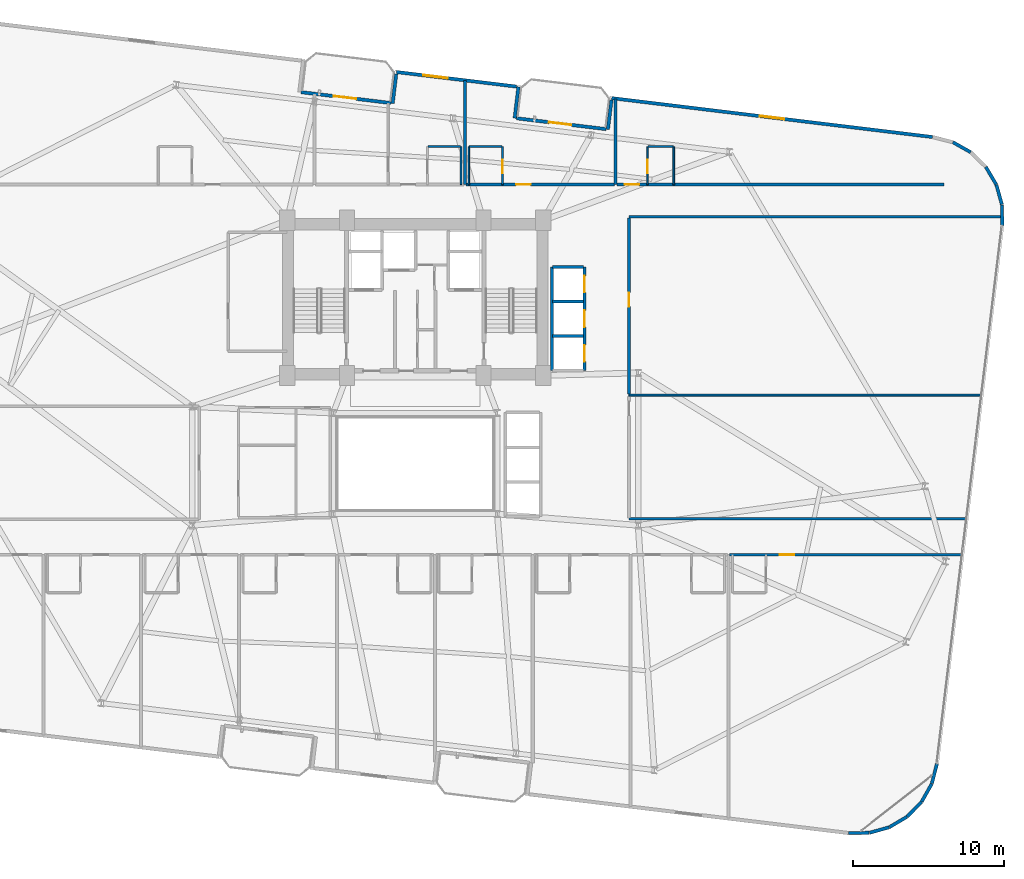
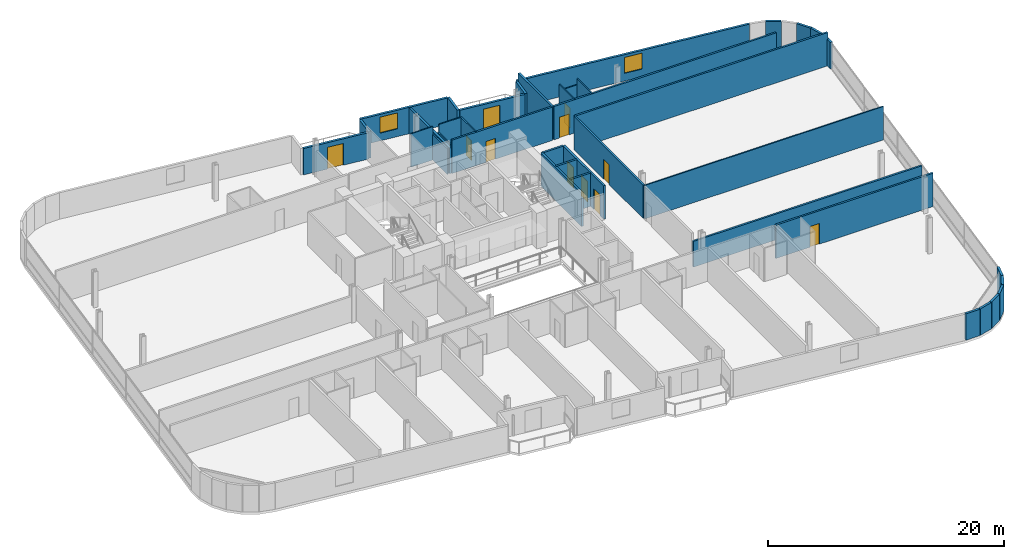
# One storey, part 23 of 26: 39 walls, 11 doors, 2 windows, 13 openings.
"""IFC4 building model written with IfcOpenShell, lengths in metres."""

import ifcopenshell
import ifcopenshell.guid

model = None  # the IFC model being written
_history = None  # IfcOwnerHistory: only IFC2X3 demands one
_inside = {}  # id of a spatial element -> (the spatial element, [elements in it])
_under = {}  # id of a project, library or spatial element -> (it, [spatial elements below it])
_declared = {}  # id of a project -> (the project, [libraries it declares])
_typed = {}  # id of a type object -> (the type object, [elements of that type])
_made_of = {}  # id of a material, layer set ... -> (it, [elements and type objects made of it])


def new_model(schema):
    """Start an empty IFC model of exactly this schema.

    Asked for "IFC4X3", IfcOpenShell would pick the latest addendum, in which some entities
    have other attributes; the version numbers below select the first issue.
    IFC2X3 requires an IfcOwnerHistory on every rooted entity: one is made here for all.
    """
    global model, _history
    if schema == "IFC4X3":
        model = ifcopenshell.file(schema_version=(4, 3, 0, 0))
    else:
        model = ifcopenshell.file(schema=schema)
    _inside.clear()
    _under.clear()
    _declared.clear()
    _typed.clear()
    _made_of.clear()
    _history = None
    if model.schema == "IFC2X3":
        org = make("IfcOrganization", Name="unknown")
        user = make(
            "IfcPersonAndOrganization",
            ThePerson=make("IfcPerson", FamilyName="unknown"),
            TheOrganization=org,
        )
        app = make(
            "IfcApplication",
            ApplicationDeveloper=org,
            Version="unknown",
            ApplicationFullName="unknown",
            ApplicationIdentifier="unknown",
        )
        _history = make(
            "IfcOwnerHistory",
            OwningUser=user,
            OwningApplication=app,
            ChangeAction="ADDED",
            CreationDate=0,
        )
    return model


def make(cls, **values):
    """One entity of the class cls with the attributes given. An attribute that is None is left unset."""
    return model.create_entity(
        cls, **{name: value for name, value in values.items() if value is not None}
    )


def rooted(cls, **values):
    """An entity with a GlobalId (a new one), such as an element, a storey or a relation."""
    return make(cls, GlobalId=ifcopenshell.guid.new(), OwnerHistory=_history, **values)


def si_unit(unit_type, name, prefix=None):
    """IfcSIUnit, for example si_unit("LENGTHUNIT", "METRE", prefix="MILLI")."""
    return make("IfcSIUnit", UnitType=unit_type, Prefix=prefix, Name=name)


def assignment(units):
    """IfcUnitAssignment: the units of a project."""
    return None if units is None else make("IfcUnitAssignment", Units=units)


def point(xyz):
    """IfcCartesianPoint."""
    return None if xyz is None else make("IfcCartesianPoint", Coordinates=xyz)


def direction(xyz):
    """IfcDirection."""
    return None if xyz is None else make("IfcDirection", DirectionRatios=xyz)


def frame(location, z_axis=None, x_axis=None):
    """IfcAxis2Placement3D, a coordinate frame: its origin and axes. An axis left out is left unset."""
    return make(
        "IfcAxis2Placement3D",
        Location=point(location),
        Axis=direction(z_axis),
        RefDirection=direction(x_axis),
    )


def frame_2d(location, x_axis=None):
    """IfcAxis2Placement2D, a coordinate frame in the plane: its origin and x axis."""
    return make(
        "IfcAxis2Placement2D", Location=point(location), RefDirection=direction(x_axis)
    )


def origin():
    """The frame at (0, 0, 0) with its axes left unset."""
    return frame((0.0, 0.0, 0.0))


def place(relative_to, where):
    """IfcLocalPlacement: puts the frame where relative to a parent placement (None: the world)."""
    return make(
        "IfcLocalPlacement", PlacementRelTo=relative_to, RelativePlacement=where
    )


def context(
    kind, dimensions, precision=None, world=None, true_north=None, identifier=None
):
    """IfcGeometricRepresentationContext, for example the 3D "Model" context."""
    return make(
        "IfcGeometricRepresentationContext",
        ContextIdentifier=identifier,
        ContextType=kind,
        CoordinateSpaceDimension=dimensions,
        Precision=precision,
        WorldCoordinateSystem=world,
        TrueNorth=true_north,
    )


def subcontext(parent, identifier, kind, view, scale=None):
    """IfcGeometricRepresentationSubContext, for example "Body" below "Model"."""
    return make(
        "IfcGeometricRepresentationSubContext",
        ContextIdentifier=identifier,
        ContextType=kind,
        ParentContext=parent,
        TargetScale=scale,
        TargetView=view,
    )


def project(units=None, contexts=None):
    """IfcProject with its units and contexts."""
    return rooted(
        "IfcProject",
        Name="project",
        RepresentationContexts=contexts,
        UnitsInContext=assignment(units),
    )


def spatial(cls, under=None, at=None, **own):
    """A site, building, storey or space (cls), placed at a placement, below another one or the project."""
    s = rooted(cls, ObjectPlacement=at, **own)
    if under is not None:
        _under.setdefault(under.id(), (under, []))[1].append(s)
    return s


def profile(cls, at=None, kind="AREA", **sizes):
    """A parametric profile (cls). Its sizes go by their IFC names, for example OverallWidth=200.0."""
    return make(cls, ProfileType=kind, Position=at, **sizes)


def rectangle(**sizes):
    """IfcRectangleProfileDef."""
    return profile("IfcRectangleProfileDef", **sizes)


def extrude(swept, where, along, depth):
    """IfcExtrudedAreaSolid: the profile swept, set in the frame where, extruded along a direction by depth."""
    return make(
        "IfcExtrudedAreaSolid",
        SweptArea=swept,
        Position=where,
        ExtrudedDirection=direction(along),
        Depth=depth,
    )


def shape(context_of_items, identifier, shape_type, items):
    """IfcShapeRepresentation: the items that make up one representation, for example the "Body"."""
    return make(
        "IfcShapeRepresentation",
        ContextOfItems=context_of_items,
        RepresentationIdentifier=identifier,
        RepresentationType=shape_type,
        Items=items,
    )


def material(Name=None, Category=None):
    """IfcMaterial."""
    return make("IfcMaterial", Name=Name, Category=Category)


def layer(
    of_material, thickness, ventilated=None, Name=None, Category=None, Priority=None
):
    """IfcMaterialLayer: one layer of a wall or slab, of a material (None: an air gap)."""
    return make(
        "IfcMaterialLayer",
        Material=of_material,
        LayerThickness=thickness,
        IsVentilated=ventilated,
        Name=Name,
        Category=Category,
        Priority=Priority,
    )


def layer_set(layers, Name=None):
    """IfcMaterialLayerSet."""
    return make("IfcMaterialLayerSet", MaterialLayers=layers, LayerSetName=Name)


def made_of(thing, what):
    """Note that an element or type object is made of a material, layer set ...; save() writes the relation."""
    if what is not None:
        _made_of.setdefault(what.id(), (what, []))[1].append(thing)
    return thing


def type_object(cls, material=None, **own):
    """A type object (cls), such as IfcWallType, which elements share."""
    return made_of(rooted(cls, **own), material)


def element(
    cls,
    number,
    at=None,
    inside=None,
    cuts=None,
    type_object=None,
    material=None,
    context=None,
    identifier="Body",
    shape_type=None,
    held_by="IfcProductDefinitionShape",
    body=None,
    shapes=None,
    **own,
):
    """One element of the class cls, such as IfcWall. Its Tag is "e" and its number.

    at: its placement. inside: the storey or other place that contains it. cuts: it is an
    opening in that element (IfcRelVoidsElement). A single representation is given by context,
    identifier, shape_type and body (its items); several are given by shapes. held_by: the class
    of the entity that holds the representations. save() writes the other relations.
    """
    e = rooted(cls, Tag="e%d" % number, ObjectPlacement=at, **own)
    if body is not None:
        shapes = [shape(context, identifier, shape_type, body)]
    if shapes is not None:
        e.Representation = make(held_by, Representations=shapes)
    if inside is not None:
        _inside.setdefault(inside.id(), (inside, []))[1].append(e)
    if cuts is not None:
        rooted(
            "IfcRelVoidsElement", RelatingBuildingElement=cuts, RelatedOpeningElement=e
        )
    if type_object is not None:
        _typed.setdefault(type_object.id(), (type_object, []))[1].append(e)
    return made_of(e, material)


def fill(opening, filler):
    """IfcRelFillsElement: the door or window that sits in an opening."""
    return rooted(
        "IfcRelFillsElement",
        RelatingOpeningElement=opening,
        RelatedBuildingElement=filler,
    )


def aggregate(whole, parts):
    """IfcRelAggregates: a whole, such as a stair, and the parts it consists of."""
    return rooted("IfcRelAggregates", RelatingObject=whole, RelatedObjects=parts)


def save(model, path):
    """Write the relations noted so far, then the file.

    IfcRelAggregates (storeys below a building ...), IfcRelContainedInSpatialStructure (elements
    in a storey), IfcRelDefinesByType, IfcRelAssociatesMaterial and IfcRelDeclares: one each for
    every whole, place, type object, material and project.
    """
    for whole, parts in _under.values():
        aggregate(whole, parts)
    for where, things in _inside.values():
        rooted(
            "IfcRelContainedInSpatialStructure",
            RelatedElements=things,
            RelatingStructure=where,
        )
    for kind, things in _typed.values():
        rooted("IfcRelDefinesByType", RelatedObjects=things, RelatingType=kind)
    for what, things in _made_of.values():
        rooted("IfcRelAssociatesMaterial", RelatedObjects=things, RelatingMaterial=what)
    for by, libraries in _declared.values():
        rooted("IfcRelDeclares", RelatingContext=by, RelatedDefinitions=libraries)
    model.write(path)


model = new_model("IFC4")

# Units and contexts
model_context = context("Model", 3, precision=1e-05, world=origin(), true_north=direction((0.0, 1.0)))
body_context = subcontext(model_context, "Body", "Model", "MODEL_VIEW")
ifc_project = project(units=[si_unit("LENGTHUNIT", "METRE"), si_unit("AREAUNIT", "SQUARE_METRE"), si_unit("VOLUMEUNIT", "CUBIC_METRE"), si_unit("PLANEANGLEUNIT", "RADIAN"), si_unit("MASSUNIT", "GRAM", prefix="KILO")], contexts=[model_context])

# Site, building, storey
site_placement = place(None, origin())
site = spatial("IfcSite", under=ifc_project, at=site_placement, CompositionType="ELEMENT")
building_placement = place(site_placement, origin())
building = spatial("IfcBuilding", under=site, at=building_placement, Name="Varnelok Gate Tower", CompositionType="ELEMENT")
storey_placement = place(building_placement, frame((0.0, 0.0, 121.699951171875)))
storey = spatial("IfcBuildingStorey", under=building, at=storey_placement, Name="L30", CompositionType="ELEMENT", Elevation=121.699951171875)

# Wall, opening, door
ifc_material_1 = material(Name="Concrete C45/55", Category="concrete")
ifc_layer_1 = layer(ifc_material_1, 0.219970703125)
ifc_layer_set_1 = layer_set([ifc_layer_1], Name="Concrete C45/55")
wall_type_1 = type_object("IfcWallType", Name="EW-BALC-220", PredefinedType="SOLIDWALL", material=ifc_layer_set_1)
wall_1_placement = place(storey_placement, frame((31.624267578125, 47.5634765625, 0.0), z_axis=(0.0, 0.0, 1.0), x_axis=(0.992729951822, -0.120362962556, 0.0)))
wall_1 = element("IfcWall", 1, at=wall_1_placement, inside=storey, type_object=wall_type_1, Name="L30 North Terrace Envelope Wall 3", PredefinedType="SOLIDWALL", context=body_context, shape_type="SweptSolid", body=[
    extrude(rectangle(XDim=6.0, YDim=0.219970703125, at=frame_2d((3.0, 0.0))), origin(), (0.0, 0.0, 1.0), 2.72998046875),
])
opening_1_placement = place(wall_1_placement, frame((2.176025390625, 0.0, 0.0)))
opening_1 = element("IfcOpeningElement", 2, at=opening_1_placement, cuts=wall_1, Name="Opening BD-1", PredefinedType="OPENING", context=body_context, shape_type="SweptSolid", body=[
    extrude(rectangle(XDim=1.5, YDim=2.25, at=frame_2d((0.75, 1.125))), frame((0.0, 0.119873046875, 0.0), z_axis=(0.0, -1.0, 0.0), x_axis=(1.0, 0.0, 0.0)), (0.0, 0.0, 1.0), 0.239990234375),
])
ifc_material_2 = material(Name="Anodized Aluminum Alloy 6063-T6", Category="aluminium")
door_type_1 = type_object("IfcDoorType", Name="DR-EXT-BALC1500", OperationType="NOTDEFINED", PredefinedType="DOOR", material=ifc_material_2)
door_1_placement = place(opening_1_placement, origin())
door_1 = element("IfcDoor", 3, at=door_1_placement, inside=storey, type_object=door_type_1, Name="L30 North Balcony Glazed Door 3", OperationType="SINGLE_SWING_RIGHT", OverallHeight=2.25, OverallWidth=1.5, PredefinedType="DOOR", context=body_context, shape_type="SweptSolid", body=[
    extrude(rectangle(XDim=1.5, YDim=2.25, at=frame_2d((0.75, 1.125))), frame((0.0, 0.02490234375, 0.0), z_axis=(0.0, -1.0, 0.0), x_axis=(1.0, 0.0, 0.0)), (0.0, 0.0, 1.0), 0.050048828125),
])
fill(opening_1, door_1)

wall_2_placement = place(storey_placement, frame((45.919677734375, 45.83056640625, 0.0), z_axis=(0.0, 0.0, 1.0), x_axis=(0.992729951822, -0.120362962556, 0.0)))
wall_2 = element("IfcWall", 4, at=wall_2_placement, inside=storey, type_object=wall_type_1, Name="L30 North Terrace Envelope Wall 4", PredefinedType="SOLIDWALL", context=body_context, shape_type="SweptSolid", body=[
    extrude(rectangle(XDim=6.0, YDim=0.219970703125, at=frame_2d((3.0, 0.0))), origin(), (0.0, 0.0, 1.0), 2.72998046875),
])
opening_2_placement = place(wall_2_placement, frame((2.176025390625, 0.0, 0.0)))
opening_2 = element("IfcOpeningElement", 5, at=opening_2_placement, cuts=wall_2, Name="Opening BD-1", PredefinedType="OPENING", context=body_context, shape_type="SweptSolid", body=[
    extrude(rectangle(XDim=1.5, YDim=2.25, at=frame_2d((0.75, 1.125))), frame((0.0, 0.119873046875, 0.0), z_axis=(0.0, -1.0, 0.0), x_axis=(1.0, 0.0, 0.0)), (0.0, 0.0, 1.0), 0.239990234375),
])
door_2_placement = place(opening_2_placement, origin())
door_2 = element("IfcDoor", 6, at=door_2_placement, inside=storey, type_object=door_type_1, Name="L30 North Balcony Glazed Door 4", OperationType="SINGLE_SWING_LEFT", OverallHeight=2.25, OverallWidth=1.5, PredefinedType="DOOR", context=body_context, shape_type="SweptSolid", body=[
    extrude(rectangle(XDim=1.5, YDim=2.25, at=frame_2d((0.75, 1.125))), frame((0.0, 0.02490234375, 0.0), z_axis=(0.0, -1.0, 0.0), x_axis=(1.0, 0.0, 0.0)), (0.0, 0.0, 1.0), 0.050048828125),
])
fill(opening_2, door_2)

# Walls
wall_3_placement = place(storey_placement, frame((67.984375, -1.63671875, 0.0), z_axis=(0.0, 0.0, 1.0), x_axis=(0.999945887077, 0.010403024475, 0.0)))
element("IfcWall", 7, at=wall_3_placement, inside=storey, type_object=wall_type_1, Name="L30 Perimeter Facade Closure Wall 14", PredefinedType="SOLIDWALL", context=body_context, shape_type="SweptSolid", body=[
    extrude(rectangle(XDim=1.361083984375, YDim=0.219970703125, at=frame_2d((0.6806640625, 0.0))), origin(), (0.0, 0.0, 1.0), 2.72998046875),
])
wall_4_placement = place(storey_placement, frame((69.369384765625, -1.615966796875, 0.0), z_axis=(0.0, 0.0, 1.0), x_axis=(0.963194128812, 0.268806752562, 0.0)))
element("IfcWall", 8, at=wall_4_placement, inside=storey, type_object=wall_type_1, Name="L30 Perimeter Facade Closure Wall 15", PredefinedType="SOLIDWALL", context=body_context, shape_type="SweptSolid", body=[
    extrude(rectangle(XDim=1.353271484375, YDim=0.219970703125, at=frame_2d((0.6767578125, 0.0))), origin(), (0.0, 0.0, 1.0), 2.72998046875),
])
for number, where, z_axis, x_axis, name in (
    (9, (70.6943359375, -1.239501953125, 0.0), (0.0, 0.0, 1.0), (0.860865455241, 0.508832652228, 0.0), "L30 Perimeter Facade Closure Wall 16"),
    (10, (71.876708984375, -0.533203125, 0.0), (0.0, 0.0, 1.0), (0.69976104234, 0.714376989847, 0.0), "L30 Perimeter Facade Closure Wall 17"),
    (11, (72.835693359375, 0.455078125, 0.0), (0.0, 0.0, 1.0), (0.491117621399, 0.871093268227, 0.0), "L30 Perimeter Facade Closure Wall 18"),
):
    element("IfcWall", number, at=place(storey_placement, frame(where, z_axis=z_axis, x_axis=x_axis)), inside=storey, type_object=wall_type_1, Name=name, PredefinedType="SOLIDWALL", context=body_context, shape_type="SweptSolid", body=[
        extrude(rectangle(XDim=1.35302734375, YDim=0.219970703125, at=frame_2d((0.676513671875, 0.0))), origin(), (0.0, 0.0, 1.0), 2.72998046875),
    ])
wall_5_placement = place(storey_placement, frame((73.506591796875, 1.658203125, 0.0), z_axis=(0.0, 0.0, 1.0), x_axis=(0.248857256909, 0.968540172468, 0.0)))
element("IfcWall", 12, at=wall_5_placement, inside=storey, type_object=wall_type_1, Name="L30 Perimeter Facade Closure Wall 19", PredefinedType="SOLIDWALL", context=body_context, shape_type="SweptSolid", body=[
    extrude(rectangle(XDim=1.352783203125, YDim=0.219970703125, at=frame_2d((0.67626953125, 0.0))), origin(), (0.0, 0.0, 1.0), 2.72998046875),
])
wall_6_placement = place(storey_placement, frame((78.175537109375, 38.706787109375, 0.0), z_axis=(0.0, 0.0, 1.0), x_axis=(-0.010096916637, 0.999949024838, 0.0)))
element("IfcWall", 13, at=wall_6_placement, inside=storey, type_object=wall_type_1, Name="L30 Perimeter Facade Closure Wall 20", PredefinedType="SOLIDWALL", context=body_context, shape_type="SweptSolid", body=[
    extrude(rectangle(XDim=1.378173828125, YDim=0.219970703125, at=frame_2d((0.68896484375, 0.0))), origin(), (0.0, 0.0, 1.0), 2.72998046875),
])
wall_7_placement = place(storey_placement, frame((78.15478515625, 40.10888671875, 0.0), z_axis=(0.0, 0.0, 1.0), x_axis=(-0.268639368869, 0.963240826322, 0.0)))
element("IfcWall", 14, at=wall_7_placement, inside=storey, type_object=wall_type_1, Name="L30 Perimeter Facade Closure Wall 21", PredefinedType="SOLIDWALL", context=body_context, shape_type="SweptSolid", body=[
    extrude(rectangle(XDim=1.353271484375, YDim=0.219970703125, at=frame_2d((0.6767578125, 0.0))), origin(), (0.0, 0.0, 1.0), 2.72998046875),
])
for number, where, z_axis, x_axis, name in (
    (15, (77.7783203125, 41.433837890625, 0.0), (0.0, 0.0, 1.0), (-0.508698913794, 0.860944490142, 0.0), "L30 Perimeter Facade Closure Wall 22"),
    (16, (76.083740234375, 43.5751953125, 0.0), (0.0, 0.0, 1.0), (-0.871093268227, 0.491117621399, 0.0), "L30 Perimeter Facade Closure Wall 24"),
):
    element("IfcWall", number, at=place(storey_placement, frame(where, z_axis=z_axis, x_axis=x_axis)), inside=storey, type_object=wall_type_1, Name=name, PredefinedType="SOLIDWALL", context=body_context, shape_type="SweptSolid", body=[
        extrude(rectangle(XDim=1.35302734375, YDim=0.219970703125, at=frame_2d((0.676513671875, 0.0))), origin(), (0.0, 0.0, 1.0), 2.72998046875),
    ])

# Wall, opening, window
wall_8_placement = place(storey_placement, frame((73.537841796875, 44.587890625, 0.0), z_axis=(0.0, 0.0, 1.0), x_axis=(-0.992733493583, 0.120333747213, 0.0)))
wall_8 = element("IfcWall", 17, at=wall_8_placement, inside=storey, type_object=wall_type_1, Name="L30 Perimeter Facade Closure Wall 26", PredefinedType="SOLIDWALL", context=body_context, shape_type="SweptSolid", body=[
    extrude(rectangle(XDim=21.447021484375, YDim=0.219970703125, at=frame_2d((10.7236328125, 0.0))), origin(), (0.0, 0.0, 1.0), 2.72998046875),
])
opening_3_placement = place(wall_8_placement, frame((9.898681640625, 0.0, 0.800048828125)))
opening_3 = element("IfcOpeningElement", 18, at=opening_3_placement, cuts=wall_8, Name="Opening WN3", PredefinedType="OPENING", context=body_context, shape_type="SweptSolid", body=[
    extrude(rectangle(XDim=1.64990234375, YDim=1.64990234375, at=frame_2d((0.824951171875, 0.824951171875))), frame((0.0, 0.119873046875, 0.0), z_axis=(0.0, -1.0, 0.0), x_axis=(1.0, 0.0, 0.0)), (0.0, 0.0, 1.0), 0.239990234375),
])
ifc_material_3 = material(Name="Low-E Laminated Double Glazing IGU", Category="glass")
window_type = type_object("IfcWindowType", Name="WN-HTL-1650", PartitioningType="SINGLE_PANEL", PredefinedType="WINDOW", material=ifc_material_3)
window_1_placement = place(opening_3_placement, origin())
window_1 = element("IfcWindow", 19, at=window_1_placement, inside=storey, type_object=window_type, Name="L30 Perimeter Vision Window 26", OverallHeight=1.64990234375, OverallWidth=1.64990234375, PartitioningType="SINGLE_PANEL", PredefinedType="WINDOW", context=body_context, shape_type="SweptSolid", body=[
    extrude(rectangle(XDim=1.64990234375, YDim=1.64990234375, at=frame_2d((0.824951171875, 0.824951171875))), frame((0.0, 0.030029296875, 0.0), z_axis=(0.0, -1.0, 0.0), x_axis=(1.0, 0.0, 0.0)), (0.0, 0.0, 1.0), 0.06005859375),
])
fill(opening_3, window_1)

# Walls
wall_9_placement = place(storey_placement, frame((52.2314453125, 47.044677734375, 0.0), z_axis=(0.0, 0.0, 1.0), x_axis=(-0.120275992932, -0.992740492538, 0.0)))
element("IfcWall", 20, at=wall_9_placement, inside=storey, type_object=wall_type_1, Name="L30 Perimeter Facade Closure Wall 27", PredefinedType="SOLIDWALL", context=body_context, shape_type="SweptSolid", body=[
    extrude(rectangle(XDim=1.97509765625, YDim=0.219970703125, at=frame_2d((0.987548828125, 0.0))), origin(), (0.0, 0.0, 1.0), 2.72998046875),
])
wall_10_placement = place(storey_placement, frame((45.79931640625, 45.8349609375, 0.0), z_axis=(0.0, 0.0, 1.0), x_axis=(0.120314009587, 0.992735885871, 0.0)))
element("IfcWall", 21, at=wall_10_placement, inside=storey, type_object=wall_type_1, Name="L30 Perimeter Facade Closure Wall 28", PredefinedType="SOLIDWALL", context=body_context, shape_type="SweptSolid", body=[
    extrude(rectangle(XDim=2.10009765625, YDim=0.219970703125, at=frame_2d((1.050048828125, 0.0))), origin(), (0.0, 0.0, 1.0), 2.72998046875),
])

# Wall, opening, window
wall_11_placement = place(storey_placement, frame((45.927734375, 47.934814453125, 0.0), z_axis=(0.0, 0.0, 1.0), x_axis=(-0.992730591876, 0.120357683402, 0.0)))
wall_11 = element("IfcWall", 22, at=wall_11_placement, inside=storey, type_object=wall_type_1, Name="L30 Perimeter Facade Closure Wall 29", PredefinedType="SOLIDWALL", context=body_context, shape_type="SweptSolid", body=[
    extrude(rectangle(XDim=8.03466796875, YDim=0.219970703125, at=frame_2d((4.017333984375, 0.0))), origin(), (0.0, 0.0, 1.0), 2.72998046875),
])
opening_4_placement = place(wall_11_placement, frame((4.59716796875, 0.0, 0.800048828125)))
opening_4 = element("IfcOpeningElement", 23, at=opening_4_placement, cuts=wall_11, Name="Opening WN3", PredefinedType="OPENING", context=body_context, shape_type="SweptSolid", body=[
    extrude(rectangle(XDim=1.64990234375, YDim=1.64990234375, at=frame_2d((0.824951171875, 0.824951171875))), frame((0.0, 0.119873046875, 0.0), z_axis=(0.0, -1.0, 0.0), x_axis=(1.0, 0.0, 0.0)), (0.0, 0.0, 1.0), 0.239990234375),
])
window_2_placement = place(opening_4_placement, origin())
window_2 = element("IfcWindow", 24, at=window_2_placement, inside=storey, type_object=window_type, Name="L30 Perimeter Vision Window 29", OverallHeight=1.64990234375, OverallWidth=1.64990234375, PartitioningType="SINGLE_PANEL", PredefinedType="WINDOW", context=body_context, shape_type="SweptSolid", body=[
    extrude(rectangle(XDim=1.64990234375, YDim=1.64990234375, at=frame_2d((0.824951171875, 0.824951171875))), frame((0.0, 0.030029296875, 0.0), z_axis=(0.0, -1.0, 0.0), x_axis=(1.0, 0.0, 0.0)), (0.0, 0.0, 1.0), 0.06005859375),
])
fill(opening_4, window_2)

# Wall
wall_12_placement = place(storey_placement, frame((37.936279296875, 48.777587890625, 0.0), z_axis=(0.0, 0.0, 1.0), x_axis=(-0.120397815541, -0.992725725472, 0.0)))
element("IfcWall", 25, at=wall_12_placement, inside=storey, type_object=wall_type_1, Name="L30 Perimeter Facade Closure Wall 30", PredefinedType="SOLIDWALL", context=body_context, shape_type="SweptSolid", body=[
    extrude(rectangle(XDim=1.97509765625, YDim=0.219970703125, at=frame_2d((0.987548828125, 0.0))), origin(), (0.0, 0.0, 1.0), 2.72998046875),
])

# Wall, opening, door
ifc_material_4 = material(Name="Gypsum Plasterboard Acoustic Partition", Category="gypsum")
ifc_layer_2 = layer(ifc_material_4, 0.179931640625)
ifc_layer_set_2 = layer_set([ifc_layer_2], Name="Gypsum Plasterboard Acoustic Partition")
wall_type_2 = type_object("IfcWallType", Name="PW-CORR-180", PredefinedType="PARTITIONING", material=ifc_layer_set_2)
wall_13_placement = place(storey_placement, frame((60.080078125, 16.85009765625, 0.0), z_axis=(0.0, 0.0, 1.0), x_axis=(1.0, 0.0, 0.0)))
wall_13 = element("IfcWall", 26, at=wall_13_placement, inside=storey, type_object=wall_type_2, Name="Interior Partition", PredefinedType="PARTITIONING", context=body_context, shape_type="SweptSolid", body=[
    extrude(rectangle(XDim=15.38671875, YDim=0.179931640625, at=frame_2d((7.693359375, 0.0))), origin(), (0.0, 0.0, 1.0), 3.449951171875),
])
opening_5_placement = place(wall_13_placement, frame((3.32470703125, 0.0, 0.0)))
opening_5 = element("IfcOpeningElement", 27, at=opening_5_placement, cuts=wall_13, Name="Opening D-HT", PredefinedType="OPENING", context=body_context, shape_type="SweptSolid", body=[
    extrude(rectangle(XDim=0.949951171875, YDim=2.14990234375, at=frame_2d((0.47509765625, 1.074951171875))), frame((0.0, 0.099853515625, 0.0), z_axis=(0.0, -1.0, 0.0), x_axis=(1.0, 0.0, 0.0)), (0.0, 0.0, 1.0), 0.199951171875),
])
ifc_material_5 = material(Name="Engineered Hardwood Timber", Category="wood")
door_type_2 = type_object("IfcDoorType", Name="DR-HTL-950", OperationType="NOTDEFINED", PredefinedType="DOOR", material=ifc_material_5)
door_3_placement = place(opening_5_placement, origin())
door_3 = element("IfcDoor", 28, at=door_3_placement, inside=storey, type_object=door_type_2, Name="L30 Guest Room 09 Entrance Door", OperationType="SINGLE_SWING_RIGHT", OverallHeight=2.14990234375, OverallWidth=0.949951171875, PredefinedType="DOOR", context=body_context, shape_type="SweptSolid", body=[
    extrude(rectangle(XDim=0.949951171875, YDim=2.14990234375, at=frame_2d((0.47509765625, 1.074951171875))), frame((0.0, 0.02490234375, 0.0), z_axis=(0.0, -1.0, 0.0), x_axis=(1.0, 0.0, 0.0)), (0.0, 0.0, 1.0), 0.050048828125),
])
fill(opening_5, door_3)

wall_14_placement = place(storey_placement, frame((42.580078125, 41.429931640625, 0.0), z_axis=(0.0, 0.0, 1.0), x_axis=(1.0, 0.0, 0.0)))
wall_14 = element("IfcWall", 29, at=wall_14_placement, inside=storey, type_object=wall_type_2, Name="Interior Partition", PredefinedType="PARTITIONING", context=body_context, shape_type="SweptSolid", body=[
    extrude(rectangle(XDim=9.83984375, YDim=0.179931640625, at=frame_2d((4.919921875, 0.0))), origin(), (0.0, 0.0, 1.0), 3.449951171875),
])
opening_6_placement = place(wall_14_placement, frame((3.322998046875, 0.0, 0.0)))
opening_6 = element("IfcOpeningElement", 30, at=opening_6_placement, cuts=wall_14, Name="Opening D-HT", PredefinedType="OPENING", context=body_context, shape_type="SweptSolid", body=[
    extrude(rectangle(XDim=0.949951171875, YDim=2.14990234375, at=frame_2d((0.47509765625, 1.074951171875))), frame((0.0, 0.099853515625, 0.0), z_axis=(0.0, -1.0, 0.0), x_axis=(1.0, 0.0, 0.0)), (0.0, 0.0, 1.0), 0.199951171875),
])
door_4_placement = place(opening_6_placement, origin())
door_4 = element("IfcDoor", 31, at=door_4_placement, inside=storey, type_object=door_type_2, Name="L30 Guest Room 12 Entrance Door", OperationType="SINGLE_SWING_LEFT", OverallHeight=2.14990234375, OverallWidth=0.949951171875, PredefinedType="DOOR", context=body_context, shape_type="SweptSolid", body=[
    extrude(rectangle(XDim=0.949951171875, YDim=2.14990234375, at=frame_2d((0.47509765625, 1.074951171875))), frame((0.0, 0.02490234375, 0.0), z_axis=(0.0, -1.0, 0.0), x_axis=(1.0, 0.0, 0.0)), (0.0, 0.0, 1.0), 0.050048828125),
])
fill(opening_6, door_4)

wall_15_placement = place(storey_placement, frame((52.580078125, 41.429931640625, 0.0), z_axis=(0.0, 0.0, 1.0), x_axis=(1.0, 0.0, 0.0)))
wall_15 = element("IfcWall", 32, at=wall_15_placement, inside=storey, type_object=wall_type_2, Name="Interior Partition", PredefinedType="PARTITIONING", context=body_context, shape_type="SweptSolid", body=[
    extrude(rectangle(XDim=21.739990234375, YDim=0.179931640625, at=frame_2d((10.8701171875, 0.0))), origin(), (0.0, 0.0, 1.0), 3.449951171875),
])
opening_7_placement = place(wall_15_placement, frame((0.529052734375, 0.0, 0.0)))
opening_7 = element("IfcOpeningElement", 33, at=opening_7_placement, cuts=wall_15, Name="Opening D-HT", PredefinedType="OPENING", context=body_context, shape_type="SweptSolid", body=[
    extrude(rectangle(XDim=0.949951171875, YDim=2.14990234375, at=frame_2d((0.47509765625, 1.074951171875))), frame((0.0, 0.099853515625, 0.0), z_axis=(0.0, -1.0, 0.0), x_axis=(1.0, 0.0, 0.0)), (0.0, 0.0, 1.0), 0.199951171875),
])
door_5_placement = place(opening_7_placement, origin())
door_5 = element("IfcDoor", 34, at=door_5_placement, inside=storey, type_object=door_type_2, Name="L30 Guest Room 13 Entrance Door", OperationType="SINGLE_SWING_RIGHT", OverallHeight=2.14990234375, OverallWidth=0.949951171875, PredefinedType="DOOR", context=body_context, shape_type="SweptSolid", body=[
    extrude(rectangle(XDim=0.949951171875, YDim=2.14990234375, at=frame_2d((0.47509765625, 1.074951171875))), frame((0.0, 0.02490234375, 0.0), z_axis=(0.0, -1.0, 0.0), x_axis=(1.0, 0.0, 0.0)), (0.0, 0.0, 1.0), 0.050048828125),
])
fill(opening_7, door_5)

wall_16_placement = place(storey_placement, frame((53.389892578125, 27.530029296875, 0.0), z_axis=(0.0, 0.0, 1.0), x_axis=(0.0, 1.0, 0.0)))
wall_16 = element("IfcWall", 35, at=wall_16_placement, inside=storey, type_object=wall_type_2, Name="Interior Partition", PredefinedType="PARTITIONING", context=body_context, shape_type="SweptSolid", body=[
    extrude(rectangle(XDim=11.669921875, YDim=0.179931640625, at=frame_2d((5.8349609375, 0.0))), origin(), (0.0, 0.0, 1.0), 3.449951171875),
])
opening_8_placement = place(wall_16_placement, frame((5.800048828125, 0.0, 0.0)))
opening_8 = element("IfcOpeningElement", 36, at=opening_8_placement, cuts=wall_16, Name="Opening D-I3", PredefinedType="OPENING", context=body_context, shape_type="SweptSolid", body=[
    extrude(rectangle(XDim=0.919921875, YDim=2.050048828125, at=frame_2d((0.4599609375, 1.02490234375))), frame((0.0, 0.099853515625, 0.0), z_axis=(0.0, -1.0, 0.0), x_axis=(1.0, 0.0, 0.0)), (0.0, 0.0, 1.0), 0.199951171875),
])
door_type_3 = type_object("IfcDoorType", Name="DR-INT-920", OperationType="NOTDEFINED", PredefinedType="DOOR", material=ifc_material_5)
door_6_placement = place(opening_8_placement, origin())
door_6 = element("IfcDoor", 37, at=door_6_placement, inside=storey, type_object=door_type_3, Name="L30 East Suite 2 Door", OperationType="SINGLE_SWING_RIGHT", OverallHeight=2.050048828125, OverallWidth=0.919921875, PredefinedType="DOOR", context=body_context, shape_type="SweptSolid", body=[
    extrude(rectangle(XDim=0.919921875, YDim=2.050048828125, at=frame_2d((0.4599609375, 1.02490234375))), frame((0.0, 0.02490234375, 0.0), z_axis=(0.0, -1.0, 0.0), x_axis=(1.0, 0.0, 0.0)), (0.0, 0.0, 1.0), 0.050048828125),
])
fill(opening_8, door_6)

# Walls
wall_17_placement = place(storey_placement, frame((53.389892578125, 19.239990234375, 0.0), z_axis=(0.0, 0.0, 1.0), x_axis=(1.0, 0.0, 0.0)))
element("IfcWall", 38, at=wall_17_placement, inside=storey, type_object=wall_type_2, Name="Interior Partition", PredefinedType="PARTITIONING", context=body_context, shape_type="SweptSolid", body=[
    extrude(rectangle(XDim=22.36669921875, YDim=0.179931640625, at=frame_2d((11.183349609375, 0.0))), origin(), (0.0, 0.0, 1.0), 2.662109375),
])
wall_18_placement = place(storey_placement, frame((53.389892578125, 39.300048828125, 0.0), z_axis=(0.0, 0.0, 1.0), x_axis=(1.0, 0.0, 0.0)))
element("IfcWall", 39, at=wall_18_placement, inside=storey, type_object=wall_type_2, Name="Interior Partition", PredefinedType="PARTITIONING", context=body_context, shape_type="SweptSolid", body=[
    extrude(rectangle(XDim=24.73974609375, YDim=0.179931640625, at=frame_2d((12.369873046875, 0.0))), origin(), (0.0, 0.0, 1.0), 3.449951171875),
])
ifc_layer_3 = layer(ifc_material_4, 0.114990234375)
ifc_layer_set_3 = layer_set([ifc_layer_3], Name="Gypsum Plasterboard Acoustic Partition")
wall_type_3 = type_object("IfcWallType", Name="PW-ENS-125", PredefinedType="PARTITIONING", material=ifc_layer_set_3)
wall_19_placement = place(storey_placement, frame((40.050048828125, 43.949951171875, 0.0), z_axis=(0.0, 0.0, 1.0), x_axis=(1.0, 0.0, 0.0)))
element("IfcWall", 40, at=wall_19_placement, inside=storey, type_object=wall_type_3, Name="Interior Partition", PredefinedType="PARTITIONING", context=body_context, shape_type="SweptSolid", body=[
    extrude(rectangle(XDim=2.14990234375, YDim=0.114990234375, at=frame_2d((1.074951171875, 0.0))), origin(), (0.0, 0.0, 1.0), 3.449951171875),
])
wall_20_placement = place(storey_placement, frame((42.239990234375, 41.429931640625, 0.0), z_axis=(0.0, 0.0, 1.0), x_axis=(0.0, 1.0, 0.0)))
element("IfcWall", 41, at=wall_20_placement, inside=storey, type_object=wall_type_3, Name="Interior Partition", PredefinedType="PARTITIONING", context=body_context, shape_type="SweptSolid", body=[
    extrude(rectangle(XDim=2.52001953125, YDim=0.114990234375, at=frame_2d((1.260009765625, 0.0))), origin(), (0.0, 0.0, 1.0), 2.662109375),
])
wall_21_placement = place(storey_placement, frame((42.800048828125, 43.949951171875, 0.0), z_axis=(0.0, 0.0, 1.0), x_axis=(1.0, 0.0, 0.0)))
element("IfcWall", 42, at=wall_21_placement, inside=storey, type_object=wall_type_3, Name="Interior Partition", PredefinedType="PARTITIONING", context=body_context, shape_type="SweptSolid", body=[
    extrude(rectangle(XDim=2.14990234375, YDim=0.114990234375, at=frame_2d((1.074951171875, 0.0))), origin(), (0.0, 0.0, 1.0), 3.449951171875),
])

# Wall, opening, door
wall_22_placement = place(storey_placement, frame((44.989990234375, 41.429931640625, 0.0), z_axis=(0.0, 0.0, 1.0), x_axis=(0.0, 1.0, 0.0)))
wall_22 = element("IfcWall", 43, at=wall_22_placement, inside=storey, type_object=wall_type_3, Name="Interior Partition", PredefinedType="PARTITIONING", context=body_context, shape_type="SweptSolid", body=[
    extrude(rectangle(XDim=2.52001953125, YDim=0.114990234375, at=frame_2d((1.260009765625, 0.0))), origin(), (0.0, 0.0, 1.0), 3.449951171875),
])
opening_9_placement = place(wall_22_placement, frame((0.760009765625, 0.0, 0.0)))
opening_9 = element("IfcOpeningElement", 44, at=opening_9_placement, cuts=wall_22, Name="Opening D-WC", PredefinedType="OPENING", context=body_context, shape_type="SweptSolid", body=[
    extrude(rectangle(XDim=0.89990234375, YDim=2.050048828125, at=frame_2d((0.449951171875, 1.02490234375))), frame((0.0, 0.0673828125, 0.0), z_axis=(0.0, -1.0, 0.0), x_axis=(1.0, 0.0, 0.0)), (0.0, 0.0, 1.0), 0.135009765625),
])
door_type_4 = type_object("IfcDoorType", Name="DR-BATH-900", OperationType="NOTDEFINED", PredefinedType="DOOR", material=ifc_material_5)
door_7_placement = place(opening_9_placement, origin())
door_7 = element("IfcDoor", 45, at=door_7_placement, inside=storey, type_object=door_type_4, Name="L30 North En-Suite 12 Door", OperationType="SINGLE_SWING_RIGHT", OverallHeight=2.050048828125, OverallWidth=0.89990234375, PredefinedType="DOOR", context=body_context, shape_type="SweptSolid", body=[
    extrude(rectangle(XDim=0.89990234375, YDim=2.050048828125, at=frame_2d((0.449951171875, 1.02490234375))), frame((0.0, 0.02490234375, 0.0), z_axis=(0.0, -1.0, 0.0), x_axis=(1.0, 0.0, 0.0)), (0.0, 0.0, 1.0), 0.050048828125),
])
fill(opening_9, door_7)

# Walls
wall_23_placement = place(storey_placement, frame((42.760009765625, 41.429931640625, 0.0), z_axis=(0.0, 0.0, 1.0), x_axis=(0.0, 1.0, 0.0)))
element("IfcWall", 46, at=wall_23_placement, inside=storey, type_object=wall_type_3, Name="Interior Partition", PredefinedType="PARTITIONING", context=body_context, shape_type="SweptSolid", body=[
    extrude(rectangle(XDim=2.52001953125, YDim=0.114990234375, at=frame_2d((1.260009765625, 0.0))), origin(), (0.0, 0.0, 1.0), 2.662109375),
])
wall_24_placement = place(storey_placement, frame((54.669921875, 43.949951171875, 0.0), z_axis=(0.0, 0.0, 1.0), x_axis=(1.0, 0.0, 0.0)))
element("IfcWall", 47, at=wall_24_placement, inside=storey, type_object=wall_type_3, Name="Interior Partition", PredefinedType="PARTITIONING", context=body_context, shape_type="SweptSolid", body=[
    extrude(rectangle(XDim=1.650146484375, YDim=0.114990234375, at=frame_2d((0.8251953125, 0.0))), origin(), (0.0, 0.0, 1.0), 2.823974609375),
])

# Wall, opening, door
wall_25_placement = place(storey_placement, frame((54.6298828125, 41.429931640625, 0.0), z_axis=(0.0, 0.0, 1.0), x_axis=(0.0, 1.0, 0.0)))
wall_25 = element("IfcWall", 48, at=wall_25_placement, inside=storey, type_object=wall_type_3, Name="Interior Partition", PredefinedType="PARTITIONING", context=body_context, shape_type="SweptSolid", body=[
    extrude(rectangle(XDim=2.52001953125, YDim=0.114990234375, at=frame_2d((1.260009765625, 0.0))), origin(), (0.0, 0.0, 1.0), 3.449951171875),
])
opening_10_placement = place(wall_25_placement, frame((0.760009765625, 0.0, 0.0)))
opening_10 = element("IfcOpeningElement", 49, at=opening_10_placement, cuts=wall_25, Name="Opening D-WC", PredefinedType="OPENING", context=body_context, shape_type="SweptSolid", body=[
    extrude(rectangle(XDim=0.89990234375, YDim=2.050048828125, at=frame_2d((0.449951171875, 1.02490234375))), frame((0.0, 0.0673828125, 0.0), z_axis=(0.0, -1.0, 0.0), x_axis=(1.0, 0.0, 0.0)), (0.0, 0.0, 1.0), 0.135009765625),
])
door_8_placement = place(opening_10_placement, origin())
door_8 = element("IfcDoor", 50, at=door_8_placement, inside=storey, type_object=door_type_4, Name="L30 North En-Suite 13 Door", OperationType="SINGLE_SWING_LEFT", OverallHeight=2.050048828125, OverallWidth=0.89990234375, PredefinedType="DOOR", context=body_context, shape_type="SweptSolid", body=[
    extrude(rectangle(XDim=0.89990234375, YDim=2.050048828125, at=frame_2d((0.449951171875, 1.02490234375))), frame((0.0, 0.02490234375, 0.0), z_axis=(0.0, -1.0, 0.0), x_axis=(1.0, 0.0, 0.0)), (0.0, 0.0, 1.0), 0.050048828125),
])
fill(opening_10, door_8)

# Walls
wall_26_placement = place(storey_placement, frame((56.360107421875, 41.429931640625, 0.0), z_axis=(0.0, 0.0, 1.0), x_axis=(0.0, 1.0, 0.0)))
element("IfcWall", 51, at=wall_26_placement, inside=storey, type_object=wall_type_3, Name="Interior Partition", PredefinedType="PARTITIONING", context=body_context, shape_type="SweptSolid", body=[
    extrude(rectangle(XDim=2.52001953125, YDim=0.114990234375, at=frame_2d((1.260009765625, 0.0))), origin(), (0.0, 0.0, 1.0), 3.449951171875),
])
ifc_layer_4 = layer(ifc_material_4, 0.125)
ifc_layer_set_4 = layer_set([ifc_layer_4], Name="Gypsum Plasterboard Acoustic Partition")
wall_type_4 = type_object("IfcWallType", Name="PW-PART-125", PredefinedType="PARTITIONING", material=ifc_layer_set_4)
wall_27_placement = place(storey_placement, frame((53.389892578125, 27.449951171875, 0.0), z_axis=(0.0, 0.0, 1.0), x_axis=(1.0, 0.0, 0.0)))
element("IfcWall", 52, at=wall_27_placement, inside=storey, type_object=wall_type_4, Name="Interior Partition", PredefinedType="PARTITIONING", context=body_context, shape_type="SweptSolid", body=[
    extrude(rectangle(XDim=23.362060546875, YDim=0.125, at=frame_2d((11.68115234375, 0.0))), origin(), (0.0, 0.0, 1.0), 3.449951171875),
])
ifc_layer_5 = layer(ifc_material_4, 0.205078125)
ifc_layer_set_5 = layer_set([ifc_layer_5], Name="Gypsum Plasterboard Acoustic Partition")
wall_type_5 = type_object("IfcWallType", Name="PW-PARTY-200", PredefinedType="PARTITIONING", material=ifc_layer_set_5)
wall_28_placement = place(storey_placement, frame((42.5, 41.429931640625, 0.0), z_axis=(0.0, 0.0, 1.0), x_axis=(0.0, 1.0, 0.0)))
element("IfcWall", 53, at=wall_28_placement, inside=storey, type_object=wall_type_5, Name="L30 North Party Wall 2", PredefinedType="PARTITIONING", context=body_context, shape_type="SweptSolid", body=[
    extrude(rectangle(XDim=6.900390625, YDim=0.205078125, at=frame_2d((3.4501953125, 0.0))), origin(), (0.0, 0.0, 1.0), 2.662109375),
])
wall_29_placement = place(storey_placement, frame((52.5, 41.429931640625, 0.0), z_axis=(0.0, 0.0, 1.0), x_axis=(0.0, 1.0, 0.0)))
element("IfcWall", 54, at=wall_29_placement, inside=storey, type_object=wall_type_5, Name="L30 North Party Wall 3", PredefinedType="PARTITIONING", context=body_context, shape_type="SweptSolid", body=[
    extrude(rectangle(XDim=5.68798828125, YDim=0.205078125, at=frame_2d((2.843994140625, 0.0))), origin(), (0.0, 0.0, 1.0), 3.449951171875),
])
ifc_material_6 = material(Name="Concrete C35/45", Category="concrete")
ifc_layer_6 = layer(ifc_material_6, 0.199951171875)
ifc_layer_set_6 = layer_set([ifc_layer_6], Name="Concrete C35/45")
wall_type_6 = type_object("IfcWallType", Name="PW-SHAFT-200", PredefinedType="PARTITIONING", material=ifc_layer_set_6)
for number, where, z_axis, x_axis, name in (
    (55, (48.320068359375, 31.375, 0.0), (0.0, 0.0, 1.0), (1.0, 0.0, 0.0), "L30 PM1 Divider"),
    (56, (48.320068359375, 33.675048828125, 0.0), (0.0, 0.0, 1.0), (1.0, 0.0, 0.0), "L30 PM2 Divider"),
    (57, (48.320068359375, 35.969970703125, 0.0), (0.0, 0.0, 1.0), (1.0, 0.0, 0.0), "L30 PM Bank North Wall"),
):
    element("IfcWall", number, at=place(storey_placement, frame(where, z_axis=z_axis, x_axis=x_axis)), inside=storey, type_object=wall_type_6, Name=name, PredefinedType="PARTITIONING", context=body_context, shape_type="SweptSolid", body=[
        extrude(rectangle(XDim=2.059814453125, YDim=0.199951171875, at=frame_2d((1.02978515625, 0.0))), origin(), (0.0, 0.0, 1.0), 3.449951171875),
    ])
wall_30_placement = place(storey_placement, frame((48.280029296875, 29.080078125, 0.0), z_axis=(0.0, 0.0, 1.0), x_axis=(0.0, 1.0, 0.0)))
element("IfcWall", 58, at=wall_30_placement, inside=storey, type_object=wall_type_6, Name="L30 PM Bank Back Wall", PredefinedType="PARTITIONING", context=body_context, shape_type="SweptSolid", body=[
    extrude(rectangle(XDim=6.889892578125, YDim=0.199951171875, at=frame_2d((3.44482421875, 0.0))), origin(), (0.0, 0.0, 1.0), 3.449951171875),
])

# Wall, openings, doors
wall_31_placement = place(storey_placement, frame((50.43994140625, 29.080078125, 0.0), z_axis=(0.0, 0.0, 1.0), x_axis=(0.0, 1.0, 0.0)))
wall_31 = element("IfcWall", 59, at=wall_31_placement, inside=storey, type_object=wall_type_6, Name="L30 PM Bank Front Wall", PredefinedType="PARTITIONING", context=body_context, shape_type="SweptSolid", body=[
    extrude(rectangle(XDim=6.889892578125, YDim=0.199951171875, at=frame_2d((3.44482421875, 0.0))), origin(), (0.0, 0.0, 1.0), 3.449951171875),
])
opening_11_placement = place(wall_31_placement, frame((0.590087890625, 0.0, 0.0)))
opening_11 = element("IfcOpeningElement", 60, at=opening_11_placement, cuts=wall_31, Name="Opening LD-PM1", PredefinedType="OPENING", context=body_context, shape_type="SweptSolid", body=[
    extrude(rectangle(XDim=1.10009765625, YDim=2.14990234375, at=frame_2d((0.550048828125, 1.074951171875))), frame((0.0, 0.10986328125, 0.0), z_axis=(0.0, -1.0, 0.0), x_axis=(1.0, 0.0, 0.0)), (0.0, 0.0, 1.0), 0.219970703125),
])
opening_12_placement = place(wall_31_placement, frame((2.889892578125, 0.0, 0.0)))
opening_12 = element("IfcOpeningElement", 61, at=opening_12_placement, cuts=wall_31, Name="Opening LD-PM2", PredefinedType="OPENING", context=body_context, shape_type="SweptSolid", body=[
    extrude(rectangle(XDim=1.10009765625, YDim=2.14990234375, at=frame_2d((0.550048828125, 1.074951171875))), frame((0.0, 0.10986328125, 0.0), z_axis=(0.0, -1.0, 0.0), x_axis=(1.0, 0.0, 0.0)), (0.0, 0.0, 1.0), 0.219970703125),
])
opening_13_placement = place(wall_31_placement, frame((5.18994140625, 0.0, 0.0)))
opening_13 = element("IfcOpeningElement", 62, at=opening_13_placement, cuts=wall_31, Name="Opening LD-PM3", PredefinedType="OPENING", context=body_context, shape_type="SweptSolid", body=[
    extrude(rectangle(XDim=1.10009765625, YDim=2.14990234375, at=frame_2d((0.550048828125, 1.074951171875))), frame((0.0, 0.10986328125, 0.0), z_axis=(0.0, -1.0, 0.0), x_axis=(1.0, 0.0, 0.0)), (0.0, 0.0, 1.0), 0.219970703125),
])
ifc_material_7 = material(Name="Galvanized Steel Grade S350GD", Category="steel")
door_type_5 = type_object("IfcDoorType", Name="DR-LIFT-PAX1100", OperationType="SLIDING_TO_LEFT", PredefinedType="DOOR", material=ifc_material_7)
door_9_placement = place(opening_11_placement, origin())
door_9 = element("IfcDoor", 63, at=door_9_placement, inside=storey, type_object=door_type_5, Name="L30 Passenger Lift Landing Door LD-PM1", OperationType="SLIDING_TO_LEFT", OverallHeight=2.14990234375, OverallWidth=1.10009765625, PredefinedType="DOOR", context=body_context, shape_type="SweptSolid", body=[
    extrude(rectangle(XDim=1.10009765625, YDim=2.14990234375, at=frame_2d((0.550048828125, 1.074951171875))), frame((0.0, 0.02490234375, 0.0), z_axis=(0.0, -1.0, 0.0), x_axis=(1.0, 0.0, 0.0)), (0.0, 0.0, 1.0), 0.050048828125),
])
fill(opening_11, door_9)
door_10_placement = place(opening_12_placement, origin())
door_10 = element("IfcDoor", 64, at=door_10_placement, inside=storey, type_object=door_type_5, Name="L30 Passenger Lift Landing Door LD-PM2", OperationType="SLIDING_TO_LEFT", OverallHeight=2.14990234375, OverallWidth=1.10009765625, PredefinedType="DOOR", context=body_context, shape_type="SweptSolid", body=[
    extrude(rectangle(XDim=1.10009765625, YDim=2.14990234375, at=frame_2d((0.550048828125, 1.074951171875))), frame((0.0, 0.02490234375, 0.0), z_axis=(0.0, -1.0, 0.0), x_axis=(1.0, 0.0, 0.0)), (0.0, 0.0, 1.0), 0.050048828125),
])
fill(opening_12, door_10)
door_11_placement = place(opening_13_placement, origin())
door_11 = element("IfcDoor", 65, at=door_11_placement, inside=storey, type_object=door_type_5, Name="L30 Passenger Lift Landing Door LD-PM3", OperationType="SLIDING_TO_LEFT", OverallHeight=2.14990234375, OverallWidth=1.10009765625, PredefinedType="DOOR", context=body_context, shape_type="SweptSolid", body=[
    extrude(rectangle(XDim=1.10009765625, YDim=2.14990234375, at=frame_2d((0.550048828125, 1.074951171875))), frame((0.0, 0.02490234375, 0.0), z_axis=(0.0, -1.0, 0.0), x_axis=(1.0, 0.0, 0.0)), (0.0, 0.0, 1.0), 0.050048828125),
])
fill(opening_13, door_11)

save(model, "model.ifc")
